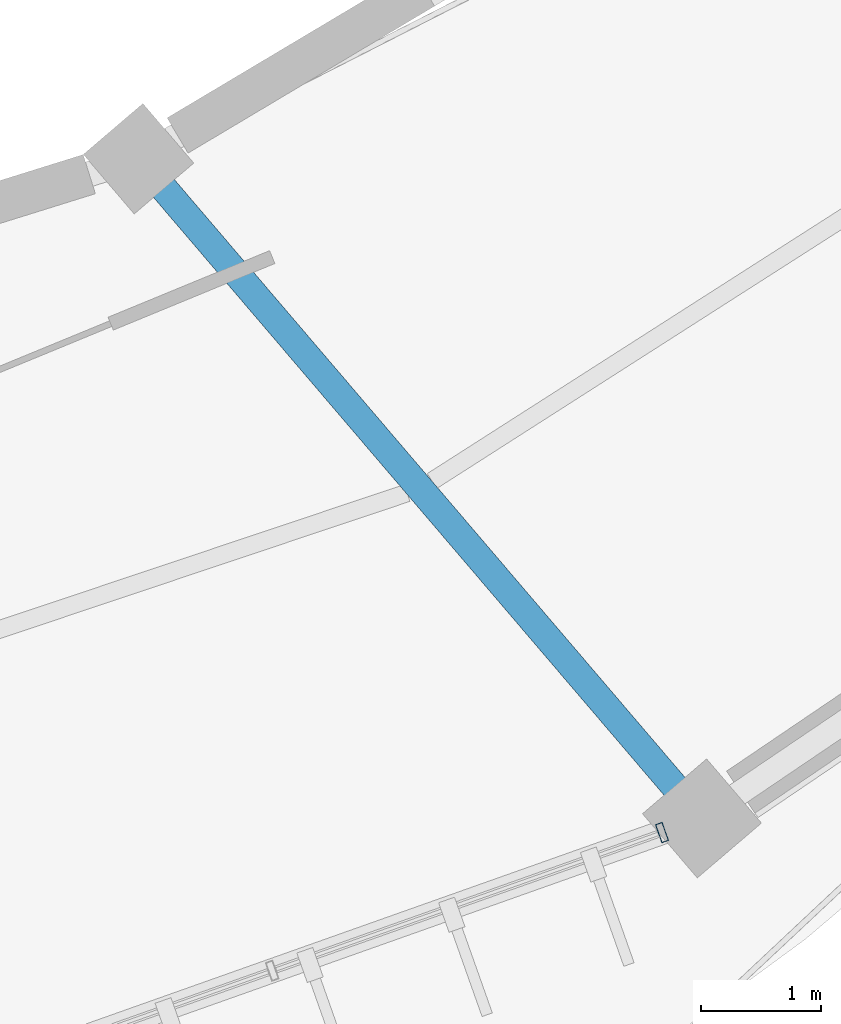
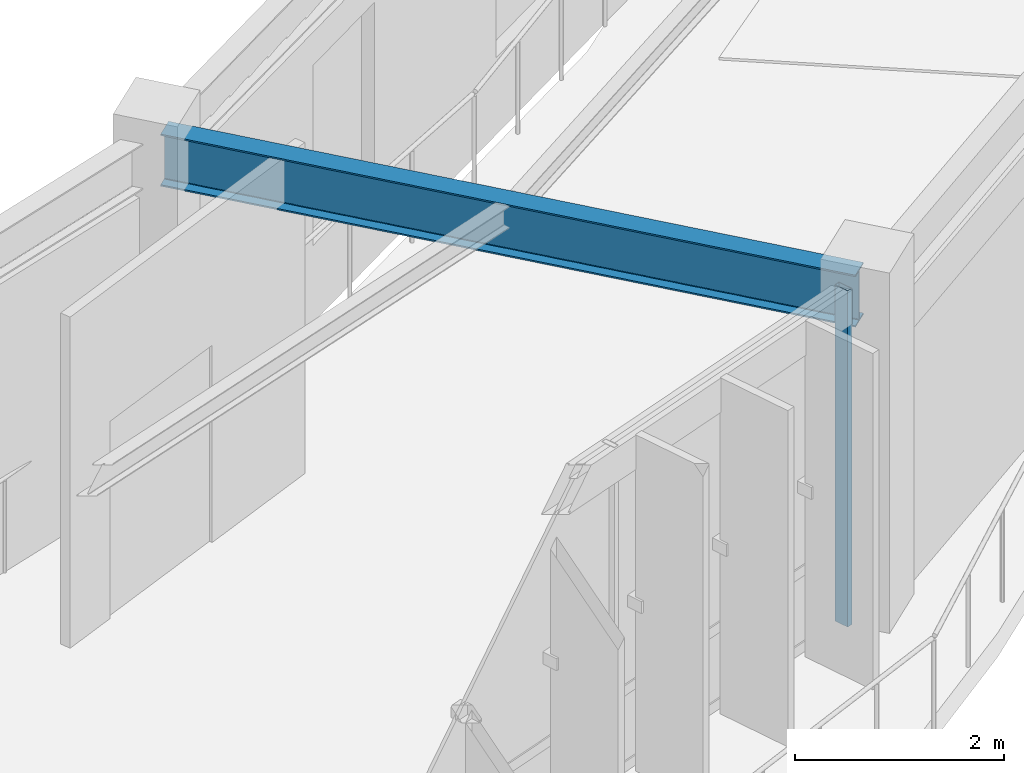
# One storey, part 58 of 138: 1 beam, 1 member, 1 element without a shape of its own.
"""IFC4 building model written with IfcOpenShell, lengths in metres."""

from ifc_helpers import new_model, si_unit, direction, frame, origin, origin_2d, place, context, subcontext, project, spatial, hollow_rectangle, i_section, extrude, material, material_profile, profile_set, type_object, element, aggregate, save


model = new_model("IFC4")

# Units and contexts
model_context = context("Model", 3, precision=1e-05, world=origin(), true_north=direction((0.0, 1.0)))
body_context = subcontext(model_context, "Body", "Model", "MODEL_VIEW")
ifc_project = project(units=[si_unit("LENGTHUNIT", "METRE"), si_unit("AREAUNIT", "SQUARE_METRE"), si_unit("VOLUMEUNIT", "CUBIC_METRE"), si_unit("PLANEANGLEUNIT", "RADIAN"), si_unit("MASSUNIT", "GRAM", prefix="KILO"), si_unit("THERMODYNAMICTEMPERATUREUNIT", "KELVIN"), si_unit("POWERUNIT", "WATT")], contexts=[model_context])

# Site, building, storey
site_placement = place(None, origin())
site = spatial("IfcSite", under=ifc_project, at=site_placement, CompositionType="ELEMENT")
building_placement = place(site_placement, origin())
building = spatial("IfcBuilding", under=site, at=building_placement, Name="Darbajah Civic Hall", CompositionType="ELEMENT")
storey_placement = place(building_placement, frame((0.0, 0.0, 9.60009765625)))
storey = spatial("IfcBuildingStorey", under=building, at=storey_placement, Name="L02", CompositionType="ELEMENT", Elevation=9.60009765625)

# Curtain wall, member
ifc_material_1 = material(Name="Anodised Bronze Aluminium and Low-E Glazing", Category="aluminium")
curtain_wall_type = type_object("IfcCurtainWallType", Name="Unitised Curtain Wall CW-33 13700x3900", PredefinedType="USERDEFINED", material=ifc_material_1)
curtain_wall_placement = place(storey_placement, origin())
curtain_wall = element("IfcCurtainWall", 1, at=curtain_wall_placement, inside=storey, type_object=curtain_wall_type, Name="L02 unitised curtain wall CW-V1O-L02-16", ObjectType="UNITISED CURTAIN WALL", PredefinedType="USERDEFINED")
ifc_material_2 = material(Name="Anodised Bronze Aluminium", Category="aluminium")
ifc_material_profile_1 = material_profile(ifc_material_2, hollow_rectangle(XDim=0.06005859375, YDim=0.159912109375, WallThickness=0.00341796875, at=origin_2d()), Name="ALU MULLION 60x160")
ifc_profile_set_1 = profile_set([ifc_material_profile_1], Name="Anodised Bronze Aluminium")
member_type = type_object("IfcMemberType", Name="ALU MULLION 60x160", PredefinedType="MULLION", material=ifc_profile_set_1)
member_placement = place(storey_placement, frame((121.89013671875, 67.25048828125, 0.0), z_axis=(0.0, 0.0, 1.0), x_axis=(0.94252491309, 0.334135882844, 0.0)))
member = element("IfcMember", 2, at=member_placement, type_object=member_type, Name="CW-V1O-L02-16 mullion 5", PredefinedType="MULLION", context=body_context, shape_type="SweptSolid", body=[
    extrude(hollow_rectangle(XDim=0.06005859375, YDim=0.159912109375, WallThickness=0.00341796875, at=origin_2d()), origin(), (0.0, 0.0, 1.0), 3.919921875),
])
aggregate(curtain_wall, [member])

# Beam
ifc_material_3 = material(Name="Steel S355JR", Category="steel")
ifc_material_profile_2 = material_profile(ifc_material_3, i_section(OverallWidth=0.228271484375, OverallDepth=0.607666015625, WebThickness=0.010986328125, FlangeThickness=0.017333984375, FilletRadius=0.0126953125, at=origin_2d()), Name="UB 610x229x113")
ifc_profile_set_2 = profile_set([ifc_material_profile_2], Name="Steel S355JR")
beam_type = type_object("IfcBeamType", Name="UB 610x229x113", PredefinedType="BEAM", material=ifc_profile_set_2)
beam_placement = place(storey_placement, frame((117.597900390625, 72.781982421875, 3.6162109375), z_axis=(0.649439482197, -0.760413281686, 0.0), x_axis=(0.760413281686, 0.649439482197, 0.0)))
element("IfcBeam", 3, at=beam_placement, inside=storey, type_object=beam_type, Name="L02 beam SB-610", PredefinedType="BEAM", context=body_context, shape_type="SweptSolid", body=[
    extrude(i_section(OverallWidth=0.228271484375, OverallDepth=0.607666015625, WebThickness=0.010986328125, FlangeThickness=0.017333984375, FilletRadius=0.0126953125, at=origin_2d()), origin(), (0.0, 0.0, 1.0), 7.0400390625),
])

save(model, "model.ifc")
